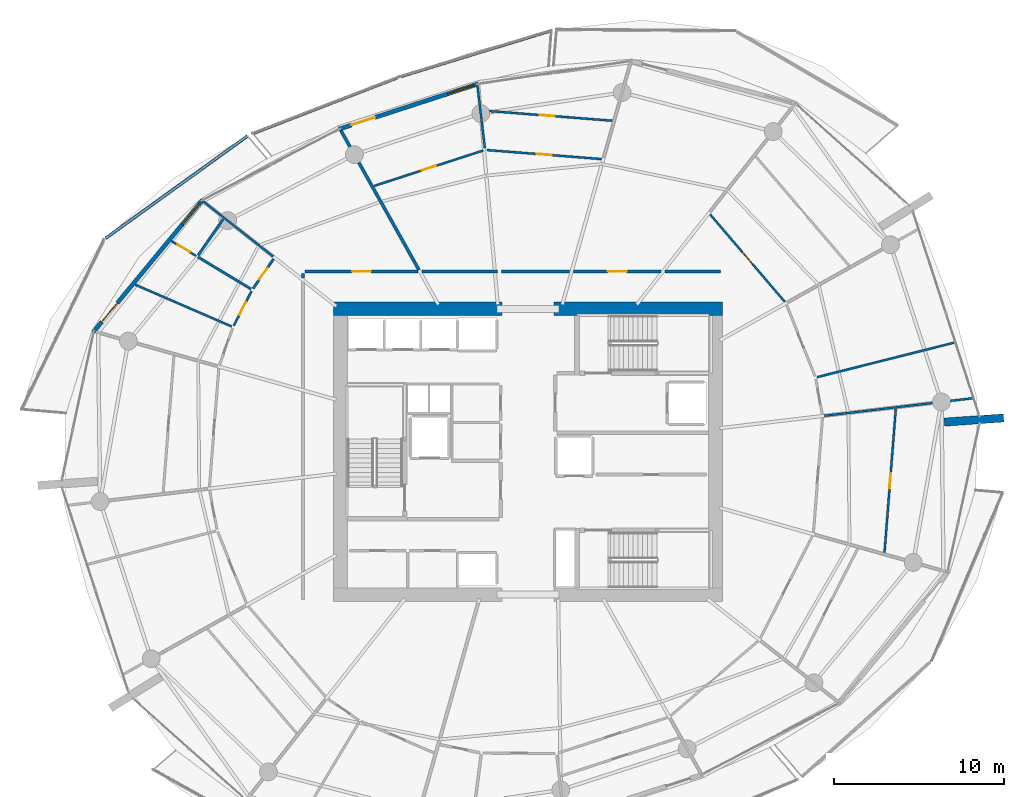
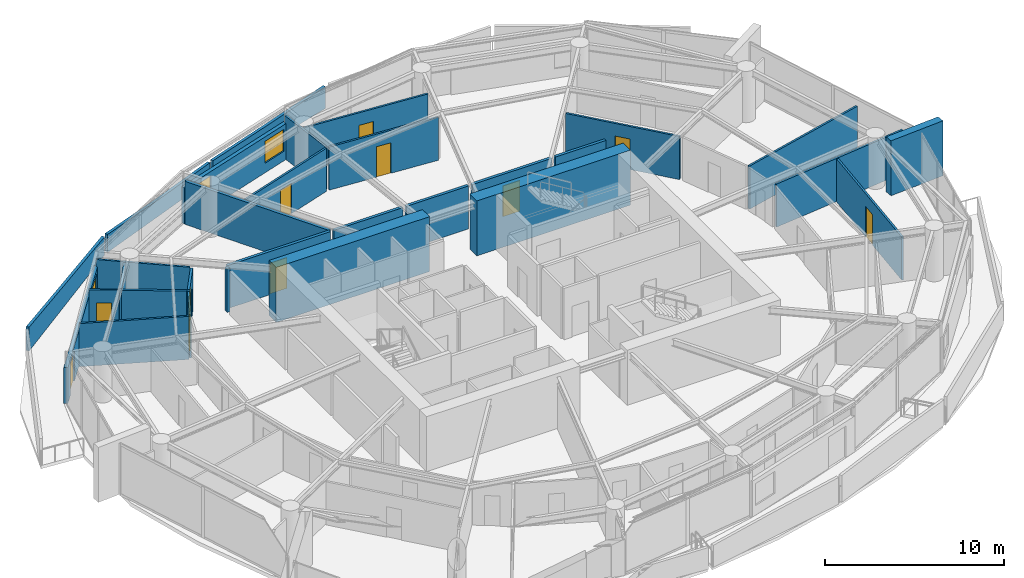
# One storey, part 14 of 20: 30 walls, 12 doors, 2 windows, 14 openings.
"""IFC4 building model written with IfcOpenShell, lengths in metres."""

from ifc_helpers import new_model, si_unit, direction, frame, frame_2d, origin, place, context, subcontext, project, spatial, polyline, rectangle, outline, extrude, material, layer, layer_set, type_object, element, fill, save


model = new_model("IFC4")

# Units and contexts
model_context = context("Model", 3, precision=1e-05, world=origin(), true_north=direction((0.0, 1.0)))
body_context = subcontext(model_context, "Body", "Model", "MODEL_VIEW")
ifc_project = project(units=[si_unit("LENGTHUNIT", "METRE"), si_unit("AREAUNIT", "SQUARE_METRE"), si_unit("VOLUMEUNIT", "CUBIC_METRE"), si_unit("PLANEANGLEUNIT", "RADIAN"), si_unit("MASSUNIT", "GRAM", prefix="KILO")], contexts=[model_context])

# Site, building, storey
site_placement = place(None, origin())
site = spatial("IfcSite", under=ifc_project, at=site_placement, CompositionType="ELEMENT")
building_placement = place(site_placement, origin())
building = spatial("IfcBuilding", under=site, at=building_placement, Name="Kazma Halo Residences", CompositionType="ELEMENT")
storey_placement = place(building_placement, frame((0.0, 0.0, 165.300048828125)))
storey = spatial("IfcBuildingStorey", under=building, at=storey_placement, Name="L41", CompositionType="ELEMENT", Elevation=165.300048828125)

# Walls
ifc_material_1 = material(Name="White Concrete C50/60 Balustrade", Category="concrete")
ifc_layer_1 = layer(ifc_material_1, 0.179931640625)
ifc_layer_set_1 = layer_set([ifc_layer_1], Name="White Concrete C50/60 Balustrade")
wall_type_1 = type_object("IfcWallType", Name="WL-BAL-WAVE-180", PredefinedType="PARAPET", material=ifc_layer_set_1)
wall_1_placement = place(storey_placement, frame((49.797119140625, 66.767578125, 0.0), z_axis=(0.0, 0.0, 1.0), x_axis=(-0.956413465024, -0.292015896691, 0.0)))
element("IfcWall", 1, at=wall_1_placement, inside=storey, type_object=wall_type_1, Name="L41 white wave balustrade wall NNW.1", PredefinedType="PARAPET", context=body_context, shape_type="SweptSolid", body=[
    extrude(outline(polyline([(0.0, 0.0), (9.244140625, 0.0), (9.244140625, 1.14794921875), (4.6220703125, 1.283935546875), (0.0, 1.48291015625), (0.0, 0.0)])), frame((0.0, 0.08984375, 0.0), z_axis=(0.0, -1.0, 0.0), x_axis=(1.0, 0.0, 0.0)), (0.0, 0.0, 1.0), 0.179931640625),
])
wall_2_placement = place(storey_placement, frame((40.72900390625, 63.989990234375, 0.0), z_axis=(0.0, 0.0, 1.0), x_axis=(-0.932748827034, -0.360526872322, 0.0)))
element("IfcWall", 2, at=wall_2_placement, inside=storey, type_object=wall_type_1, Name="L41 white wave balustrade wall NNW.2", PredefinedType="PARAPET", context=body_context, shape_type="SweptSolid", body=[
    extrude(outline(polyline([(0.0, 0.0), (9.118896484375, 0.0), (9.118896484375, 1.223876953125), (4.5595703125, 1.126953125), (0.0, 1.14794921875), (0.0, 0.0)])), frame((0.0, 0.08984375, 0.0), z_axis=(0.0, -1.0, 0.0), x_axis=(1.0, 0.0, 0.0)), (0.0, 0.0, 1.0), 0.179931640625),
])
wall_3_placement = place(storey_placement, frame((31.9423828125, 60.5703125, 0.0), z_axis=(0.0, 0.0, 1.0), x_axis=(-0.811363748486, -0.584541587608, 0.0)))
element("IfcWall", 3, at=wall_3_placement, inside=storey, type_object=wall_type_1, Name="L41 white wave balustrade wall NW.1", PredefinedType="PARAPET", context=body_context, shape_type="SweptSolid", body=[
    extrude(outline(polyline([(0.0, 0.0), (10.2900390625, 0.0), (10.289794921875, 1.6318359375), (5.14501953125, 1.41796875), (0.0, 1.23291015625), (0.0, 0.0)])), frame((0.0, 0.08984375, 0.0), z_axis=(0.0, -1.0, 0.0), x_axis=(1.0, 0.0, 0.0)), (0.0, 0.0, 1.0), 0.179931640625),
])
ifc_material_2 = material(Name="Pale Concrete C60/75", Category="concrete")
ifc_layer_2 = layer(ifc_material_2, 0.47998046875)
ifc_layer_set_2 = layer_set([ifc_layer_2], Name="Pale Concrete C60/75")
wall_type_2 = type_object("IfcWallType", Name="WL-BLADE-480", PredefinedType="SOLIDWALL", material=ifc_layer_set_2)
wall_4_placement = place(storey_placement, frame((72.89697265625, 43.740966796875, 0.0), z_axis=(0.0, 0.0, 1.0), x_axis=(0.997564163539, 0.069754853754, 0.0)))
element("IfcWall", 4, at=wall_4_placement, inside=storey, type_object=wall_type_2, Name="L41 pale concrete structural blade fin wall BW-04", PredefinedType="SOLIDWALL", context=body_context, shape_type="SweptSolid", body=[
    extrude(rectangle(XDim=3.5, YDim=0.47998046875, at=frame_2d((1.75, 0.0))), origin(), (0.0, 0.0, 1.0), 3.75),
])
ifc_material_3 = material(Name="Concrete C80/95", Category="concrete")
ifc_layer_3 = layer(ifc_material_3, 0.800048828125)
ifc_layer_set_3 = layer_set([ifc_layer_3], Name="Concrete C80/95")
wall_type_3 = type_object("IfcWallType", Name="WL-CORE-800", PredefinedType="SHEAR", material=ifc_layer_set_3)
wall_5_placement = place(storey_placement, frame((37.0, 50.39990234375, 0.0), z_axis=(0.0, 0.0, 1.0), x_axis=(1.0, 0.0, 0.0)))
element("IfcWall", 5, at=wall_5_placement, inside=storey, type_object=wall_type_3, Name="L41 central core shear wall NW", PredefinedType="SHEAR", context=body_context, shape_type="SweptSolid", body=[
    extrude(rectangle(XDim=9.89990234375, YDim=0.800048828125, at=frame_2d((4.949951171875, 0.0))), origin(), (0.0, 0.0, 1.0), 3.75),
])
wall_6_placement = place(storey_placement, frame((49.949951171875, 50.39990234375, 0.0), z_axis=(0.0, 0.0, 1.0), x_axis=(1.0, 0.0, 0.0)))
element("IfcWall", 6, at=wall_6_placement, inside=storey, type_object=wall_type_3, Name="L41 central core shear wall NE", PredefinedType="SHEAR", context=body_context, shape_type="SweptSolid", body=[
    extrude(rectangle(XDim=9.900146484375, YDim=0.800048828125, at=frame_2d((4.9501953125, 0.0))), origin(), (0.0, 0.0, 1.0), 3.75),
])
ifc_material_4 = material(Name="Acoustic Twin-Stud Gypsum")
ifc_layer_4 = layer(ifc_material_4, 0.179931640625)
ifc_layer_set_4 = layer_set([ifc_layer_4], Name="Acoustic Twin-Stud Gypsum")
wall_type_4 = type_object("IfcWallType", Name="WL-DEM-180", PredefinedType="PARTITIONING", material=ifc_layer_set_4)
wall_7_placement = place(storey_placement, frame((42.010009765625, 52.696044921875, 0.0), z_axis=(0.0, 0.0, 1.0), x_axis=(-0.488627157427, 0.872492693967, 0.0)))
element("IfcWall", 7, at=wall_7_placement, inside=storey, type_object=wall_type_4, Name="L41 apartment demising radial wall 04", PredefinedType="PARTITIONING", context=body_context, shape_type="SweptSolid", body=[
    extrude(rectangle(XDim=9.375244140625, YDim=0.179931640625, at=frame_2d((4.6875, 0.0))), origin(), (0.0, 0.0, 1.0), 2.93994140625),
])

# Wall, opening, door
wall_8_placement = place(storey_placement, frame((41.943603515625, 52.60009765625, 0.0), z_axis=(0.0, 0.0, 1.0), x_axis=(-1.0, 0.0, 0.0)))
wall_8 = element("IfcWall", 8, at=wall_8_placement, inside=storey, type_object=wall_type_4, Name="L41 Apartment 1 entrance corridor wall", PredefinedType="PARTITIONING", context=body_context, shape_type="SweptSolid", body=[
    extrude(rectangle(XDim=6.62353515625, YDim=0.179931640625, at=frame_2d((3.311767578125, 0.0))), origin(), (0.0, 0.0, 1.0), 2.93994140625),
])
opening_1_placement = place(wall_8_placement, frame((2.76171875, 0.0, 0.0)))
opening_1 = element("IfcOpeningElement", 9, at=opening_1_placement, cuts=wall_8, Name="Opening DA-1100", PredefinedType="OPENING", context=body_context, shape_type="SweptSolid", body=[
    extrude(rectangle(XDim=1.10009765625, YDim=2.10009765625, at=frame_2d((0.550048828125, 1.050048828125))), frame((0.0, 0.099853515625, 0.0), z_axis=(0.0, -1.0, 0.0), x_axis=(1.0, 0.0, 0.0)), (0.0, 0.0, 1.0), 0.199951171875),
])
ifc_material_5 = material(Name="Acoustic Walnut Fire Leaf")
door_type_1 = type_object("IfcDoorType", Name="DR-FD60-1100", OperationType="NOTDEFINED", PredefinedType="DOOR", material=ifc_material_5)
door_1_placement = place(opening_1_placement, origin())
door_1 = element("IfcDoor", 10, at=door_1_placement, inside=storey, type_object=door_type_1, Name="L41 Apartment 1 entrance fire door", OperationType="SINGLE_SWING_LEFT", OverallHeight=2.10009765625, OverallWidth=1.10009765625, PredefinedType="DOOR", context=body_context, shape_type="SweptSolid", body=[
    extrude(rectangle(XDim=1.10009765625, YDim=2.10009765625, at=frame_2d((0.550048828125, 1.050048828125))), frame((0.0, 0.02490234375, 0.0), z_axis=(0.0, -1.0, 0.0), x_axis=(1.0, 0.0, 0.0)), (0.0, 0.0, 1.0), 0.050048828125),
])
fill(opening_1, door_1)

# Wall
wall_9_placement = place(storey_placement, frame((35.199951171875, 52.47998046875, 0.0), z_axis=(0.0, 0.0, 1.0), x_axis=(0.0, -1.0, 0.0)))
element("IfcWall", 11, at=wall_9_placement, inside=storey, type_object=wall_type_4, Name="L41 Apartment 1 entrance corridor wall", PredefinedType="PARTITIONING", context=body_context, shape_type="SweptSolid", body=[
    extrude(rectangle(XDim=0.269287109375, YDim=0.179931640625, at=frame_2d((0.134765625, 0.0))), origin(), (0.0, 0.0, 1.0), 2.93994140625),
])

# Wall, opening, door
wall_10_placement = place(storey_placement, frame((56.236328125, 52.60009765625, 0.0), z_axis=(0.0, 0.0, 1.0), x_axis=(-1.0, 0.0, 0.0)))
wall_10 = element("IfcWall", 12, at=wall_10_placement, inside=storey, type_object=wall_type_4, Name="L41 Apartment 2 entrance corridor wall", PredefinedType="PARTITIONING", context=body_context, shape_type="SweptSolid", body=[
    extrude(rectangle(XDim=5.126708984375, YDim=0.179931640625, at=frame_2d((2.5634765625, 0.0))), origin(), (0.0, 0.0, 1.0), 2.93994140625),
])
opening_2_placement = place(wall_10_placement, frame((2.013427734375, 0.0, 0.0)))
opening_2 = element("IfcOpeningElement", 13, at=opening_2_placement, cuts=wall_10, Name="Opening DA-1100", PredefinedType="OPENING", context=body_context, shape_type="SweptSolid", body=[
    extrude(rectangle(XDim=1.10009765625, YDim=2.10009765625, at=frame_2d((0.550048828125, 1.050048828125))), frame((0.0, 0.099853515625, 0.0), z_axis=(0.0, -1.0, 0.0), x_axis=(1.0, 0.0, 0.0)), (0.0, 0.0, 1.0), 0.199951171875),
])
door_2_placement = place(opening_2_placement, origin())
door_2 = element("IfcDoor", 14, at=door_2_placement, inside=storey, type_object=door_type_1, Name="L41 Apartment 2 entrance fire door", OperationType="SINGLE_SWING_RIGHT", OverallHeight=2.10009765625, OverallWidth=1.10009765625, PredefinedType="DOOR", context=body_context, shape_type="SweptSolid", body=[
    extrude(rectangle(XDim=1.10009765625, YDim=2.10009765625, at=frame_2d((0.550048828125, 1.050048828125))), frame((0.0, 0.02490234375, 0.0), z_axis=(0.0, -1.0, 0.0), x_axis=(1.0, 0.0, 0.0)), (0.0, 0.0, 1.0), 0.050048828125),
])
fill(opening_2, door_2)

# Walls
wall_11_placement = place(storey_placement, frame((59.72998046875, 52.60009765625, 0.0), z_axis=(0.0, 0.0, 1.0), x_axis=(-1.0, 0.0, 0.0)))
element("IfcWall", 15, at=wall_11_placement, inside=storey, type_object=wall_type_4, Name="L41 Apartment 2 inner wall 0", PredefinedType="PARTITIONING", context=body_context, shape_type="SweptSolid", body=[
    extrude(rectangle(XDim=3.253662109375, YDim=0.179931640625, at=frame_2d((1.626953125, 0.0))), origin(), (0.0, 0.0, 1.0), 2.93994140625),
])
wall_12_placement = place(storey_placement, frame((50.869384765625, 52.60009765625, 0.0), z_axis=(0.0, 0.0, 1.0), x_axis=(-1.0, 0.0, 0.0)))
element("IfcWall", 16, at=wall_12_placement, inside=storey, type_object=wall_type_4, Name="L41 Apartment 2 inner wall 2", PredefinedType="PARTITIONING", context=body_context, shape_type="SweptSolid", body=[
    extrude(rectangle(XDim=4.00390625, YDim=0.179931640625, at=frame_2d((2.001953125, 0.0))), origin(), (0.0, 0.0, 1.0), 2.93994140625),
])
wall_13_placement = place(storey_placement, frame((46.62548828125, 52.60009765625, 0.0), z_axis=(0.0, 0.0, 1.0), x_axis=(-1.0, 0.0, 0.0)))
element("IfcWall", 17, at=wall_13_placement, inside=storey, type_object=wall_type_4, Name="L41 Apartment 2 inner wall 3", PredefinedType="PARTITIONING", context=body_context, shape_type="SweptSolid", body=[
    extrude(rectangle(XDim=4.44189453125, YDim=0.179931640625, at=frame_2d((2.220947265625, 0.0))), origin(), (0.0, 0.0, 1.0), 2.93994140625),
])

# Wall, openings, door, window
ifc_material_6 = material(Name="Insulated Pale-Metal Composite Wall")
ifc_layer_5 = layer(ifc_material_6, 0.239990234375)
ifc_layer_set_5 = layer_set([ifc_layer_5], Name="Insulated Pale-Metal Composite Wall")
wall_type_5 = type_object("IfcWallType", Name="WL-EXT-HOST-240", PredefinedType="SOLIDWALL", material=ifc_layer_set_5)
wall_14_placement = place(storey_placement, frame((45.489990234375, 63.624267578125, 0.0), z_axis=(0.0, 0.0, 1.0), x_axis=(-0.951046390632, -0.309048156224, 0.0)))
wall_14 = element("IfcWall", 18, at=wall_14_placement, inside=storey, type_object=wall_type_5, Name="L41 exterior terrace-access wall B04", PredefinedType="SOLIDWALL", context=body_context, shape_type="SweptSolid", body=[
    extrude(rectangle(XDim=8.590087890625, YDim=0.239990234375, at=frame_2d((4.294921875, 0.0))), origin(), (0.0, 0.0, 1.0), 2.449951171875),
])
opening_3_placement = place(wall_14_placement, frame((6.370361328125, 0.0, 0.0)))
opening_3 = element("IfcOpeningElement", 19, at=opening_3_placement, cuts=wall_14, Name="Opening DTR-1600", PredefinedType="OPENING", context=body_context, shape_type="SweptSolid", body=[
    extrude(rectangle(XDim=1.449951171875, YDim=2.14990234375, at=frame_2d((0.72509765625, 1.074951171875))), frame((0.0, 0.1298828125, 0.0), z_axis=(0.0, -1.0, 0.0), x_axis=(1.0, 0.0, 0.0)), (0.0, 0.0, 1.0), 0.260009765625),
])
opening_4_placement = place(wall_14_placement, frame((0.280029296875, 0.0, 0.64990234375)))
opening_4 = element("IfcOpeningElement", 20, at=opening_4_placement, cuts=wall_14, Name="Opening W-1800", PredefinedType="OPENING", context=body_context, shape_type="SweptSolid", body=[
    extrude(rectangle(XDim=1.60009765625, YDim=1.5, at=frame_2d((0.800048828125, 0.75))), frame((0.0, 0.1298828125, 0.0), z_axis=(0.0, -1.0, 0.0), x_axis=(1.0, 0.0, 0.0)), (0.0, 0.0, 1.0), 0.260009765625),
])
ifc_material_7 = material(Name="Aluminium AW-6063 T6 Double-Glazed Terrace Door", Category="aluminium")
door_type_2 = type_object("IfcDoorType", Name="DR-EXT-TERR-1600", OperationType="NOTDEFINED", PredefinedType="DOOR", material=ifc_material_7)
door_3_placement = place(opening_3_placement, origin())
door_3 = element("IfcDoor", 21, at=door_3_placement, inside=storey, type_object=door_type_2, Name="L41 B04 balcony terrace door", OperationType="DOUBLE_DOOR_SLIDING", OverallHeight=2.14990234375, OverallWidth=1.449951171875, PredefinedType="DOOR", context=body_context, shape_type="SweptSolid", body=[
    extrude(rectangle(XDim=1.449951171875, YDim=2.14990234375, at=frame_2d((0.72509765625, 1.074951171875))), frame((0.0, 0.02490234375, 0.0), z_axis=(0.0, -1.0, 0.0), x_axis=(1.0, 0.0, 0.0)), (0.0, 0.0, 1.0), 0.050048828125),
])
fill(opening_3, door_3)
ifc_material_8 = material(Name="Clear Triple-Silver Low-E Glass in Aluminium AW-6063 T6 Frame", Category="aluminium")
window_type = type_object("IfcWindowType", Name="WIN-RES-1800", PartitioningType="DOUBLE_PANEL_VERTICAL", PredefinedType="WINDOW", material=ifc_material_8)
window_1_placement = place(opening_4_placement, origin())
window_1 = element("IfcWindow", 22, at=window_1_placement, inside=storey, type_object=window_type, Name="L41 B04 apartment window", OverallHeight=1.5, OverallWidth=1.60009765625, PartitioningType="SINGLE_PANEL", PredefinedType="WINDOW", context=body_context, shape_type="SweptSolid", body=[
    extrude(rectangle(XDim=1.60009765625, YDim=1.5, at=frame_2d((0.800048828125, 0.75))), frame((0.0, 0.030029296875, 0.0), z_axis=(0.0, -1.0, 0.0), x_axis=(1.0, 0.0, 0.0)), (0.0, 0.0, 1.0), 0.06005859375),
])
fill(opening_4, window_1)

wall_15_placement = place(storey_placement, frame((29.29052734375, 56.81298828125, 0.0), z_axis=(0.0, 0.0, 1.0), x_axis=(-0.636771922292, -0.77105221547, 0.0)))
wall_15 = element("IfcWall", 23, at=wall_15_placement, inside=storey, type_object=wall_type_5, Name="L41 exterior terrace-access wall B06", PredefinedType="SOLIDWALL", context=body_context, shape_type="SweptSolid", body=[
    extrude(rectangle(XDim=10.08154296875, YDim=0.239990234375, at=frame_2d((5.040771484375, 0.0))), origin(), (0.0, 0.0, 1.0), 2.449951171875),
])
opening_5_placement = place(wall_15_placement, frame((7.861572265625, 0.0, 0.0)))
opening_5 = element("IfcOpeningElement", 24, at=opening_5_placement, cuts=wall_15, Name="Opening DTR-1600", PredefinedType="OPENING", context=body_context, shape_type="SweptSolid", body=[
    extrude(rectangle(XDim=1.449951171875, YDim=2.14990234375, at=frame_2d((0.72509765625, 1.074951171875))), frame((0.0, 0.1298828125, 0.0), z_axis=(0.0, -1.0, 0.0), x_axis=(1.0, 0.0, 0.0)), (0.0, 0.0, 1.0), 0.260009765625),
])
opening_6_placement = place(wall_15_placement, frame((0.280029296875, 0.0, 0.64990234375)))
opening_6 = element("IfcOpeningElement", 25, at=opening_6_placement, cuts=wall_15, Name="Opening W-1800", PredefinedType="OPENING", context=body_context, shape_type="SweptSolid", body=[
    extrude(rectangle(XDim=1.60009765625, YDim=1.5, at=frame_2d((0.800048828125, 0.75))), frame((0.0, 0.1298828125, 0.0), z_axis=(0.0, -1.0, 0.0), x_axis=(1.0, 0.0, 0.0)), (0.0, 0.0, 1.0), 0.260009765625),
])
door_4_placement = place(opening_5_placement, origin())
door_4 = element("IfcDoor", 26, at=door_4_placement, inside=storey, type_object=door_type_2, Name="L41 B06 balcony terrace door", OperationType="DOUBLE_DOOR_SLIDING", OverallHeight=2.14990234375, OverallWidth=1.449951171875, PredefinedType="DOOR", context=body_context, shape_type="SweptSolid", body=[
    extrude(rectangle(XDim=1.449951171875, YDim=2.14990234375, at=frame_2d((0.72509765625, 1.074951171875))), frame((0.0, 0.02490234375, 0.0), z_axis=(0.0, -1.0, 0.0), x_axis=(1.0, 0.0, 0.0)), (0.0, 0.0, 1.0), 0.050048828125),
])
fill(opening_5, door_4)
window_2_placement = place(opening_6_placement, origin())
window_2 = element("IfcWindow", 27, at=window_2_placement, inside=storey, type_object=window_type, Name="L41 B06 apartment window", OverallHeight=1.5, OverallWidth=1.60009765625, PartitioningType="SINGLE_PANEL", PredefinedType="WINDOW", context=body_context, shape_type="SweptSolid", body=[
    extrude(rectangle(XDim=1.60009765625, YDim=1.5, at=frame_2d((0.800048828125, 0.75))), frame((0.0, 0.030029296875, 0.0), z_axis=(0.0, -1.0, 0.0), x_axis=(1.0, 0.0, 0.0)), (0.0, 0.0, 1.0), 0.06005859375),
])
fill(opening_6, window_2)

# Wall
ifc_material_9 = material(Name="Gypsum Plasterboard Partition")
ifc_layer_6 = layer(ifc_material_9, 0.125)
ifc_layer_set_6 = layer_set([ifc_layer_6], Name="Gypsum Plasterboard Partition")
wall_type_6 = type_object("IfcWallType", Name="WL-PART-125", PredefinedType="PARTITIONING", material=ifc_layer_set_6)
wall_16_placement = place(storey_placement, frame((33.44091796875, 53.477294921875, 0.0), z_axis=(0.0, 0.0, 1.0), x_axis=(-0.785319981095, 0.619090080112, 0.0)))
element("IfcWall", 28, at=wall_16_placement, inside=storey, type_object=wall_type_6, Name="L41 Apartment 1 radial partition 5", PredefinedType="PARTITIONING", context=body_context, shape_type="SweptSolid", body=[
    extrude(rectangle(XDim=5.300537109375, YDim=0.125, at=frame_2d((2.650390625, 0.0))), origin(), (0.0, 0.0, 1.0), 2.93994140625),
])

# Wall, opening, door
wall_17_placement = place(storey_placement, frame((28.90087890625, 53.51904296875, 0.0), z_axis=(0.0, 0.0, 1.0), x_axis=(-0.856306503803, 0.516467977269, 0.0)))
wall_17 = element("IfcWall", 29, at=wall_17_placement, inside=storey, type_object=wall_type_6, Name="L41 Apartment 1 Utility Laundry Room partition wall", PredefinedType="PARTITIONING", context=body_context, shape_type="SweptSolid", body=[
    extrude(rectangle(XDim=1.69189453125, YDim=0.125, at=frame_2d((0.845947265625, 0.0))), origin(), (0.0, 0.0, 1.0), 2.93994140625),
])
opening_7_placement = place(wall_17_placement, frame((0.4208984375, 0.0, 0.0)))
opening_7 = element("IfcOpeningElement", 30, at=opening_7_placement, cuts=wall_17, Name="Opening DB-900", PredefinedType="OPENING", context=body_context, shape_type="SweptSolid", body=[
    extrude(rectangle(XDim=0.85009765625, YDim=2.06005859375, at=frame_2d((0.425048828125, 1.030029296875))), frame((0.0, 0.072509765625, 0.0), z_axis=(0.0, -1.0, 0.0), x_axis=(1.0, 0.0, 0.0)), (0.0, 0.0, 1.0), 0.14501953125),
])
ifc_material_10 = material(Name="Moisture-Sealed Timber Leaf", Category="wood")
door_type_3 = type_object("IfcDoorType", Name="DR-BTH-900", OperationType="NOTDEFINED", PredefinedType="DOOR", material=ifc_material_10)
door_5_placement = place(opening_7_placement, origin())
door_5 = element("IfcDoor", 31, at=door_5_placement, inside=storey, type_object=door_type_3, Name="L41 Apartment 1 Utility Laundry Room door", OperationType="SINGLE_SWING_RIGHT", OverallHeight=2.06005859375, OverallWidth=0.85009765625, PredefinedType="DOOR", context=body_context, shape_type="SweptSolid", body=[
    extrude(rectangle(XDim=0.85009765625, YDim=2.06005859375, at=frame_2d((0.425048828125, 1.030029296875))), frame((0.0, 0.02490234375, 0.0), z_axis=(0.0, -1.0, 0.0), x_axis=(1.0, 0.0, 0.0)), (0.0, 0.0, 1.0), 0.050048828125),
])
fill(opening_7, door_5)

# Wall
wall_18_placement = place(storey_placement, frame((30.997802734375, 49.365478515625, 0.0), z_axis=(0.0, 0.0, 1.0), x_axis=(-0.917591640713, 0.397524314845, 0.0)))
element("IfcWall", 32, at=wall_18_placement, inside=storey, type_object=wall_type_6, Name="L41 Apartment 1 suite divider 5", PredefinedType="PARTITIONING", context=body_context, shape_type="SweptSolid", body=[
    extrude(rectangle(XDim=6.18212890625, YDim=0.125, at=frame_2d((3.091064453125, 0.0))), origin(), (0.0, 0.0, 1.0), 2.93994140625),
])

# Wall, opening, door
wall_19_placement = place(storey_placement, frame((32.169189453125, 51.443115234375, 0.0), z_axis=(0.0, 0.0, 1.0), x_axis=(-0.458020211203, -0.888941778819, 0.0)))
wall_19 = element("IfcWall", 33, at=wall_19_placement, inside=storey, type_object=wall_type_6, Name="L41 Apartment 1 Gourmet Kitchen hall wall", PredefinedType="PARTITIONING", context=body_context, shape_type="SweptSolid", body=[
    extrude(rectangle(XDim=2.29736328125, YDim=0.125, at=frame_2d((1.148681640625, 0.0))), origin(), (0.0, 0.0, 1.0), 2.93994140625),
])
opening_8_placement = place(wall_19_placement, frame((0.7236328125, 0.0, 0.0)))
opening_8 = element("IfcOpeningElement", 34, at=opening_8_placement, cuts=wall_19, Name="Opening DB-900", PredefinedType="OPENING", context=body_context, shape_type="SweptSolid", body=[
    extrude(rectangle(XDim=0.85009765625, YDim=2.06005859375, at=frame_2d((0.425048828125, 1.030029296875))), frame((0.0, 0.072509765625, 0.0), z_axis=(0.0, -1.0, 0.0), x_axis=(1.0, 0.0, 0.0)), (0.0, 0.0, 1.0), 0.14501953125),
])
door_6_placement = place(opening_8_placement, origin())
door_6 = element("IfcDoor", 35, at=door_6_placement, inside=storey, type_object=door_type_3, Name="L41 Apartment 1 Gourmet Kitchen door", OperationType="SINGLE_SWING_LEFT", OverallHeight=2.06005859375, OverallWidth=0.85009765625, PredefinedType="DOOR", context=body_context, shape_type="SweptSolid", body=[
    extrude(rectangle(XDim=0.85009765625, YDim=2.06005859375, at=frame_2d((0.425048828125, 1.030029296875))), frame((0.0, 0.02490234375, 0.0), z_axis=(0.0, -1.0, 0.0), x_axis=(1.0, 0.0, 0.0)), (0.0, 0.0, 1.0), 0.050048828125),
])
fill(opening_8, door_6)

wall_20_placement = place(storey_placement, frame((69.3837890625, 36.081298828125, 0.0), z_axis=(0.0, 0.0, 1.0), x_axis=(0.078456019855, 0.996917575805, 0.0)))
wall_20 = element("IfcWall", 36, at=wall_20_placement, inside=storey, type_object=wall_type_6, Name="L41 Apartment 2 Corner Master Bedroom divider wall", PredefinedType="PARTITIONING", context=body_context, shape_type="SweptSolid", body=[
    extrude(rectangle(XDim=8.445556640625, YDim=0.125, at=frame_2d((4.22265625, 0.0))), origin(), (0.0, 0.0, 1.0), 2.93994140625),
])
opening_9_placement = place(wall_20_placement, frame((3.772705078125, 0.0, 0.0)))
opening_9 = element("IfcOpeningElement", 37, at=opening_9_placement, cuts=wall_20, Name="Opening DI-950", PredefinedType="OPENING", context=body_context, shape_type="SweptSolid", body=[
    extrude(rectangle(XDim=0.89990234375, YDim=2.080078125, at=frame_2d((0.449951171875, 1.0400390625))), frame((0.0, 0.072509765625, 0.0), z_axis=(0.0, -1.0, 0.0), x_axis=(1.0, 0.0, 0.0)), (0.0, 0.0, 1.0), 0.14501953125),
])
ifc_material_11 = material(Name="Timber Veneer Flush Leaf", Category="wood")
door_type_4 = type_object("IfcDoorType", Name="DR-INT-950", OperationType="NOTDEFINED", PredefinedType="DOOR", material=ifc_material_11)
door_7_placement = place(opening_9_placement, origin())
door_7 = element("IfcDoor", 38, at=door_7_placement, inside=storey, type_object=door_type_4, Name="L41 Apartment 2 Corner Master Bedroom door", OperationType="SINGLE_SWING_LEFT", OverallHeight=2.080078125, OverallWidth=0.89990234375, PredefinedType="DOOR", context=body_context, shape_type="SweptSolid", body=[
    extrude(rectangle(XDim=0.89990234375, YDim=2.080078125, at=frame_2d((0.449951171875, 1.0400390625))), frame((0.0, 0.02490234375, 0.0), z_axis=(0.0, -1.0, 0.0), x_axis=(1.0, 0.0, 0.0)), (0.0, 0.0, 1.0), 0.050048828125),
])
fill(opening_9, door_7)

# Walls
wall_21_placement = place(storey_placement, frame((65.845458984375, 44.1123046875, 0.0), z_axis=(0.0, 0.0, 1.0), x_axis=(0.993069843717, 0.117525680174, 0.0)))
element("IfcWall", 39, at=wall_21_placement, inside=storey, type_object=wall_type_6, Name="L41 Apartment 2 radial partition 15", PredefinedType="PARTITIONING", context=body_context, shape_type="SweptSolid", body=[
    extrude(rectangle(XDim=8.816162109375, YDim=0.125, at=frame_2d((4.408203125, 0.0))), origin(), (0.0, 0.0, 1.0), 2.93994140625),
])
wall_22_placement = place(storey_placement, frame((65.41650390625, 46.384521484375, 0.0), z_axis=(0.0, 0.0, 1.0), x_axis=(0.969748364616, 0.244106758047, 0.0)))
element("IfcWall", 40, at=wall_22_placement, inside=storey, type_object=wall_type_6, Name="L41 Apartment 2 mid-bay wall 15", PredefinedType="PARTITIONING", context=body_context, shape_type="SweptSolid", body=[
    extrude(rectangle(XDim=8.37109375, YDim=0.125, at=frame_2d((4.185546875, 0.0))), origin(), (0.0, 0.0, 1.0), 2.93994140625),
])

# Wall, opening, door
wall_23_placement = place(storey_placement, frame((63.52001953125, 50.815185546875, 0.0), z_axis=(0.0, 0.0, 1.0), x_axis=(-0.649447526186, 0.760406411553, 0.0)))
wall_23 = element("IfcWall", 41, at=wall_23_placement, inside=storey, type_object=wall_type_6, Name="L41 Apartment 2 Gulf Study hall wall", PredefinedType="PARTITIONING", context=body_context, shape_type="SweptSolid", body=[
    extrude(rectangle(XDim=6.752685546875, YDim=0.125, at=frame_2d((3.37646484375, 0.0))), origin(), (0.0, 0.0, 1.0), 2.93994140625),
])
opening_10_placement = place(wall_23_placement, frame((2.92626953125, 0.0, 0.0)))
opening_10 = element("IfcOpeningElement", 42, at=opening_10_placement, cuts=wall_23, Name="Opening DI-950", PredefinedType="OPENING", context=body_context, shape_type="SweptSolid", body=[
    extrude(rectangle(XDim=0.89990234375, YDim=2.080078125, at=frame_2d((0.449951171875, 1.0400390625))), frame((0.0, 0.072509765625, 0.0), z_axis=(0.0, -1.0, 0.0), x_axis=(1.0, 0.0, 0.0)), (0.0, 0.0, 1.0), 0.14501953125),
])
door_8_placement = place(opening_10_placement, origin())
door_8 = element("IfcDoor", 43, at=door_8_placement, inside=storey, type_object=door_type_4, Name="L41 Apartment 2 Gulf Study door", OperationType="SINGLE_SWING_RIGHT", OverallHeight=2.080078125, OverallWidth=0.89990234375, PredefinedType="DOOR", context=body_context, shape_type="SweptSolid", body=[
    extrude(rectangle(XDim=0.89990234375, YDim=2.080078125, at=frame_2d((0.449951171875, 1.0400390625))), frame((0.0, 0.02490234375, 0.0), z_axis=(0.0, -1.0, 0.0), x_axis=(1.0, 0.0, 0.0)), (0.0, 0.0, 1.0), 0.050048828125),
])
fill(opening_10, door_8)

wall_24_placement = place(storey_placement, frame((52.740966796875, 59.207763671875, 0.0), z_axis=(0.0, 0.0, 1.0), x_axis=(-0.996917452966, 0.078457580711, 0.0)))
wall_24 = element("IfcWall", 44, at=wall_24_placement, inside=storey, type_object=wall_type_6, Name="L41 Apartment 2 Secondary Study hall wall", PredefinedType="PARTITIONING", context=body_context, shape_type="SweptSolid", body=[
    extrude(rectangle(XDim=6.75244140625, YDim=0.125, at=frame_2d((3.376220703125, 0.0))), origin(), (0.0, 0.0, 1.0), 2.93994140625),
])
opening_11_placement = place(wall_24_placement, frame((2.92626953125, 0.0, 0.0)))
opening_11 = element("IfcOpeningElement", 45, at=opening_11_placement, cuts=wall_24, Name="Opening DI-950", PredefinedType="OPENING", context=body_context, shape_type="SweptSolid", body=[
    extrude(rectangle(XDim=0.89990234375, YDim=2.080078125, at=frame_2d((0.449951171875, 1.0400390625))), frame((0.0, 0.072509765625, 0.0), z_axis=(0.0, -1.0, 0.0), x_axis=(1.0, 0.0, 0.0)), (0.0, 0.0, 1.0), 0.14501953125),
])
door_9_placement = place(opening_11_placement, origin())
door_9 = element("IfcDoor", 46, at=door_9_placement, inside=storey, type_object=door_type_4, Name="L41 Apartment 2 Secondary Study door", OperationType="SINGLE_SWING_RIGHT", OverallHeight=2.080078125, OverallWidth=0.89990234375, PredefinedType="DOOR", context=body_context, shape_type="SweptSolid", body=[
    extrude(rectangle(XDim=0.89990234375, YDim=2.080078125, at=frame_2d((0.449951171875, 1.0400390625))), frame((0.0, 0.02490234375, 0.0), z_axis=(0.0, -1.0, 0.0), x_axis=(1.0, 0.0, 0.0)), (0.0, 0.0, 1.0), 0.050048828125),
])
fill(opening_11, door_9)

wall_25_placement = place(storey_placement, frame((53.37646484375, 61.460693359375, 0.0), z_axis=(0.0, 0.0, 1.0), x_axis=(-0.996916336075, 0.078471771143, 0.0)))
wall_25 = element("IfcWall", 47, at=wall_25_placement, inside=storey, type_object=wall_type_6, Name="L41 Apartment 2 East Bedroom divider wall", PredefinedType="PARTITIONING", context=body_context, shape_type="SweptSolid", body=[
    extrude(rectangle(XDim=7.666015625, YDim=0.125, at=frame_2d((3.8330078125, 0.0))), origin(), (0.0, 0.0, 1.0), 2.93994140625),
])
opening_12_placement = place(wall_25_placement, frame((3.3828125, 0.0, 0.0)))
opening_12 = element("IfcOpeningElement", 48, at=opening_12_placement, cuts=wall_25, Name="Opening DI-950", PredefinedType="OPENING", context=body_context, shape_type="SweptSolid", body=[
    extrude(rectangle(XDim=0.89990234375, YDim=2.080078125, at=frame_2d((0.449951171875, 1.0400390625))), frame((0.0, 0.072509765625, 0.0), z_axis=(0.0, -1.0, 0.0), x_axis=(1.0, 0.0, 0.0)), (0.0, 0.0, 1.0), 0.14501953125),
])
door_10_placement = place(opening_12_placement, origin())
door_10 = element("IfcDoor", 49, at=door_10_placement, inside=storey, type_object=door_type_4, Name="L41 Apartment 2 East Bedroom door", OperationType="SINGLE_SWING_LEFT", OverallHeight=2.080078125, OverallWidth=0.89990234375, PredefinedType="DOOR", context=body_context, shape_type="SweptSolid", body=[
    extrude(rectangle(XDim=0.89990234375, YDim=2.080078125, at=frame_2d((0.449951171875, 1.0400390625))), frame((0.0, 0.02490234375, 0.0), z_axis=(0.0, -1.0, 0.0), x_axis=(1.0, 0.0, 0.0)), (0.0, 0.0, 1.0), 0.050048828125),
])
fill(opening_12, door_10)

# Wall
wall_26_placement = place(storey_placement, frame((45.8876953125, 59.845458984375, 0.0), z_axis=(0.0, 0.0, 1.0), x_axis=(-0.117510984651, 0.99307158276, 0.0)))
element("IfcWall", 50, at=wall_26_placement, inside=storey, type_object=wall_type_6, Name="L41 Apartment 2 radial partition 3", PredefinedType="PARTITIONING", context=body_context, shape_type="SweptSolid", body=[
    extrude(rectangle(XDim=3.7646484375, YDim=0.125, at=frame_2d((1.88232421875, 0.0))), origin(), (0.0, 0.0, 1.0), 2.93994140625),
])

# Wall, opening, door
wall_27_placement = place(storey_placement, frame((45.794921875, 59.712158203125, 0.0), z_axis=(0.0, 0.0, 1.0), x_axis=(-0.951056650279, -0.309016582016, 0.0)))
wall_27 = element("IfcWall", 51, at=wall_27_placement, inside=storey, type_object=wall_type_6, Name="L41 Apartment 2 West Master Bedroom gallery wall", PredefinedType="PARTITIONING", context=body_context, shape_type="SweptSolid", body=[
    extrude(rectangle(XDim=6.752685546875, YDim=0.125, at=frame_2d((3.37646484375, 0.0))), origin(), (0.0, 0.0, 1.0), 2.93994140625),
])
opening_13_placement = place(wall_27_placement, frame((2.92626953125, 0.0, 0.0)))
opening_13 = element("IfcOpeningElement", 52, at=opening_13_placement, cuts=wall_27, Name="Opening DI-950", PredefinedType="OPENING", context=body_context, shape_type="SweptSolid", body=[
    extrude(rectangle(XDim=0.89990234375, YDim=2.080078125, at=frame_2d((0.449951171875, 1.0400390625))), frame((0.0, 0.072509765625, 0.0), z_axis=(0.0, -1.0, 0.0), x_axis=(1.0, 0.0, 0.0)), (0.0, 0.0, 1.0), 0.14501953125),
])
door_11_placement = place(opening_13_placement, origin())
door_11 = element("IfcDoor", 53, at=door_11_placement, inside=storey, type_object=door_type_4, Name="L41 Apartment 2 West Master Bedroom door", OperationType="SINGLE_SWING_LEFT", OverallHeight=2.080078125, OverallWidth=0.89990234375, PredefinedType="DOOR", context=body_context, shape_type="SweptSolid", body=[
    extrude(rectangle(XDim=0.89990234375, YDim=2.080078125, at=frame_2d((0.449951171875, 1.0400390625))), frame((0.0, 0.02490234375, 0.0), z_axis=(0.0, -1.0, 0.0), x_axis=(1.0, 0.0, 0.0)), (0.0, 0.0, 1.0), 0.050048828125),
])
fill(opening_13, door_11)

ifc_material_12 = material(Name="Moisture-Resistant Gypsum")
ifc_layer_7 = layer(ifc_material_12, 0.14990234375)
ifc_layer_set_7 = layer_set([ifc_layer_7], Name="Moisture-Resistant Gypsum")
wall_type_7 = type_object("IfcWallType", Name="WL-WET-150", PredefinedType="PARTITIONING", material=ifc_layer_set_7)
wall_28_placement = place(storey_placement, frame((33.462646484375, 53.333251953125, 0.0), z_axis=(0.0, 0.0, 1.0), x_axis=(-0.568843105688, -0.822446059697, 0.0)))
wall_28 = element("IfcWall", 54, at=wall_28_placement, inside=storey, type_object=wall_type_7, Name="L41 Apartment 1 Guest Bathroom hall wall", PredefinedType="PARTITIONING", context=body_context, shape_type="SweptSolid", body=[
    extrude(rectangle(XDim=2.111083984375, YDim=0.14990234375, at=frame_2d((1.0556640625, 0.0))), origin(), (0.0, 0.0, 1.0), 2.93994140625),
])
opening_14_placement = place(wall_28_placement, frame((0.630615234375, 0.0, 0.0)))
opening_14 = element("IfcOpeningElement", 55, at=opening_14_placement, cuts=wall_28, Name="Opening DB-900", PredefinedType="OPENING", context=body_context, shape_type="SweptSolid", body=[
    extrude(rectangle(XDim=0.85009765625, YDim=2.06005859375, at=frame_2d((0.425048828125, 1.030029296875))), frame((0.0, 0.0849609375, 0.0), z_axis=(0.0, -1.0, 0.0), x_axis=(1.0, 0.0, 0.0)), (0.0, 0.0, 1.0), 0.169921875),
])
door_12_placement = place(opening_14_placement, origin())
door_12 = element("IfcDoor", 56, at=door_12_placement, inside=storey, type_object=door_type_3, Name="L41 Apartment 1 Guest Bathroom door", OperationType="SINGLE_SWING_LEFT", OverallHeight=2.06005859375, OverallWidth=0.85009765625, PredefinedType="DOOR", context=body_context, shape_type="SweptSolid", body=[
    extrude(rectangle(XDim=0.85009765625, YDim=2.06005859375, at=frame_2d((0.425048828125, 1.030029296875))), frame((0.0, 0.02490234375, 0.0), z_axis=(0.0, -1.0, 0.0), x_axis=(1.0, 0.0, 0.0)), (0.0, 0.0, 1.0), 0.050048828125),
])
fill(opening_14, door_12)

# Walls
wall_29_placement = place(storey_placement, frame((30.498046875, 55.67041015625, 0.0), z_axis=(0.0, 0.0, 1.0), x_axis=(-0.56886579211, -0.822430368218, 0.0)))
element("IfcWall", 57, at=wall_29_placement, inside=storey, type_object=wall_type_7, Name="L41 Apartment 1 Guest Bathroom back wall", PredefinedType="PARTITIONING", context=body_context, shape_type="SweptSolid", body=[
    extrude(rectangle(XDim=2.582275390625, YDim=0.14990234375, at=frame_2d((1.291015625, 0.0))), origin(), (0.0, 0.0, 1.0), 2.93994140625),
])
wall_30_placement = place(storey_placement, frame((32.13330078125, 51.569580078125, 0.0), z_axis=(0.0, 0.0, 1.0), x_axis=(-0.856320461768, 0.516444834186, 0.0)))
element("IfcWall", 58, at=wall_30_placement, inside=storey, type_object=wall_type_7, Name="L41 Apartment 1 Guest Bathroom side wall", PredefinedType="PARTITIONING", context=body_context, shape_type="SweptSolid", body=[
    extrude(rectangle(XDim=3.644775390625, YDim=0.14990234375, at=frame_2d((1.822265625, 0.0))), origin(), (0.0, 0.0, 1.0), 2.93994140625),
])

save(model, "model.ifc")
